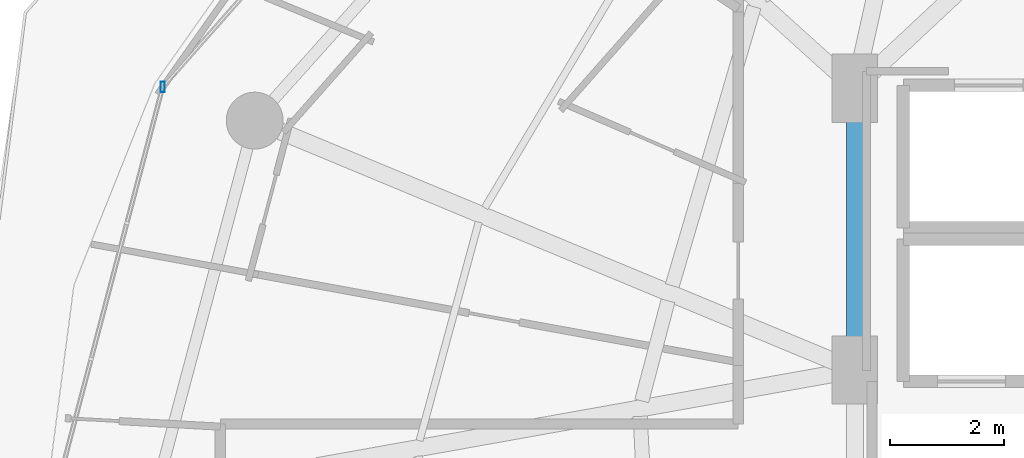
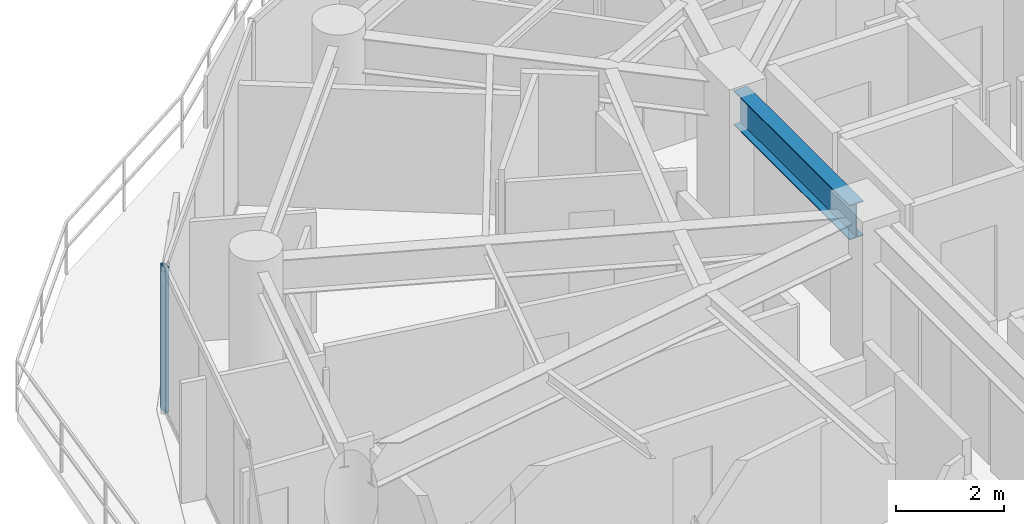
# One storey, part 9 of 30: 1 beam, 1 member, 1 element without a shape of its own.
"""IFC4 building model written with IfcOpenShell, lengths in metres."""

from ifc_helpers import new_model, si_unit, direction, frame, origin, origin_2d, place, context, subcontext, project, spatial, hollow_rectangle, i_section, extrude, material, material_profile, profile_set, type_object, element, aggregate, save


model = new_model("IFC4")

# Units and contexts
model_context = context("Model", 3, precision=1e-05, world=origin(), true_north=direction((0.0, 1.0)))
body_context = subcontext(model_context, "Body", "Model", "MODEL_VIEW")
ifc_project = project(units=[si_unit("LENGTHUNIT", "METRE"), si_unit("AREAUNIT", "SQUARE_METRE"), si_unit("VOLUMEUNIT", "CUBIC_METRE"), si_unit("PLANEANGLEUNIT", "RADIAN"), si_unit("MASSUNIT", "GRAM", prefix="KILO")], contexts=[model_context])

# Site, building, storey
site_placement = place(None, origin())
site = spatial("IfcSite", under=ifc_project, at=site_placement, CompositionType="ELEMENT")
building_placement = place(site_placement, origin())
building = spatial("IfcBuilding", under=site, at=building_placement, Name="Vorneva Point Tower", CompositionType="ELEMENT")
storey_placement = place(building_placement, frame((0.0, 0.0, 153.60009765625)))
storey = spatial("IfcBuildingStorey", under=building, at=storey_placement, Name="L41", CompositionType="ELEMENT", Elevation=153.60009765625)

# Beam
ifc_material_1 = material(Name="Steel S355", Category="steel")
ifc_material_profile_1 = material_profile(ifc_material_1, i_section(OverallWidth=0.300048828125, OverallDepth=0.7880859375, WebThickness=0.014404296875, FlangeThickness=0.02197265625, at=origin_2d()), Name="80Sh1")
ifc_profile_set_1 = profile_set([ifc_material_profile_1], Name="Steel S355")
beam_type = type_object("IfcBeamType", Name="BM-GRD-80Sh1", PredefinedType="USERDEFINED", material=ifc_profile_set_1)
beam_placement = place(storey_placement, frame((27.25, 28.52001953125, 2.845947265625), z_axis=(0.0, 1.0, 0.0), x_axis=(-1.0, 0.0, 0.0)))
element("IfcBeam", 1, at=beam_placement, inside=storey, type_object=beam_type, Name="L41 Core Tie Girder CT2", ObjectType="GIRDER", PredefinedType="USERDEFINED", context=body_context, shape_type="SweptSolid", body=[
    extrude(i_section(OverallWidth=0.300048828125, OverallDepth=0.7880859375, WebThickness=0.014404296875, FlangeThickness=0.02197265625, at=origin_2d()), origin(), (0.0, 0.0, 1.0), 4.31005859375),
])

# Curtain wall, member
ifc_material_2 = material(Name="Pale anodised aluminium", Category="aluminium")
curtain_wall_type = type_object("IfcCurtainWallType", Name="CW-RES-SYS", PredefinedType="NOTDEFINED", material=ifc_material_2)
curtain_wall_placement = place(storey_placement, origin())
curtain_wall = element("IfcCurtainWall", 2, at=curtain_wall_placement, inside=storey, type_object=curtain_wall_type, Name="L41 Unitised Curtain Wall CW-L41-R03", PredefinedType="NOTDEFINED")
ifc_material_profile_2 = material_profile(ifc_material_2, hollow_rectangle(XDim=0.074951171875, YDim=0.179931640625, WallThickness=0.00390625, at=origin_2d()), Name="AL-MUL 180x75x4")
ifc_profile_set_2 = profile_set([ifc_material_profile_2], Name="Pale anodised aluminium")
member_type = type_object("IfcMemberType", Name="CW-MUL-180", PredefinedType="MULLION", material=ifc_profile_set_2)
member_placement = place(storey_placement, frame((15.087890625, 33.17529296875, -0.0400390625), z_axis=(0.0, 0.0, 1.0), x_axis=(1.0, 0.0, 0.0)))
member = element("IfcMember", 3, at=member_placement, type_object=member_type, Name="CW-L41-R03 Mullion 03", PredefinedType="MULLION", context=body_context, shape_type="SweptSolid", body=[
    extrude(hollow_rectangle(XDim=0.074951171875, YDim=0.179931640625, WallThickness=0.00390625, at=origin_2d()), origin(), (0.0, 0.0, 1.0), 3.31005859375),
])
aggregate(curtain_wall, [member])

save(model, "model.ifc")
